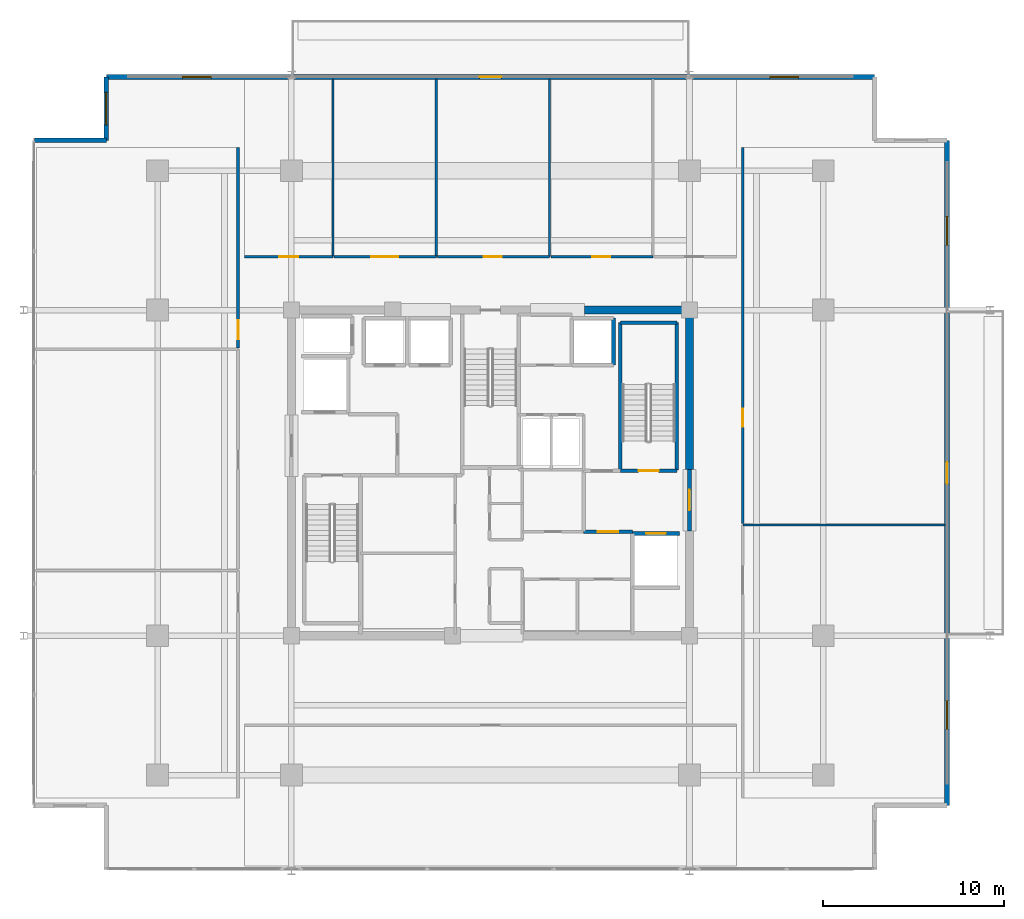
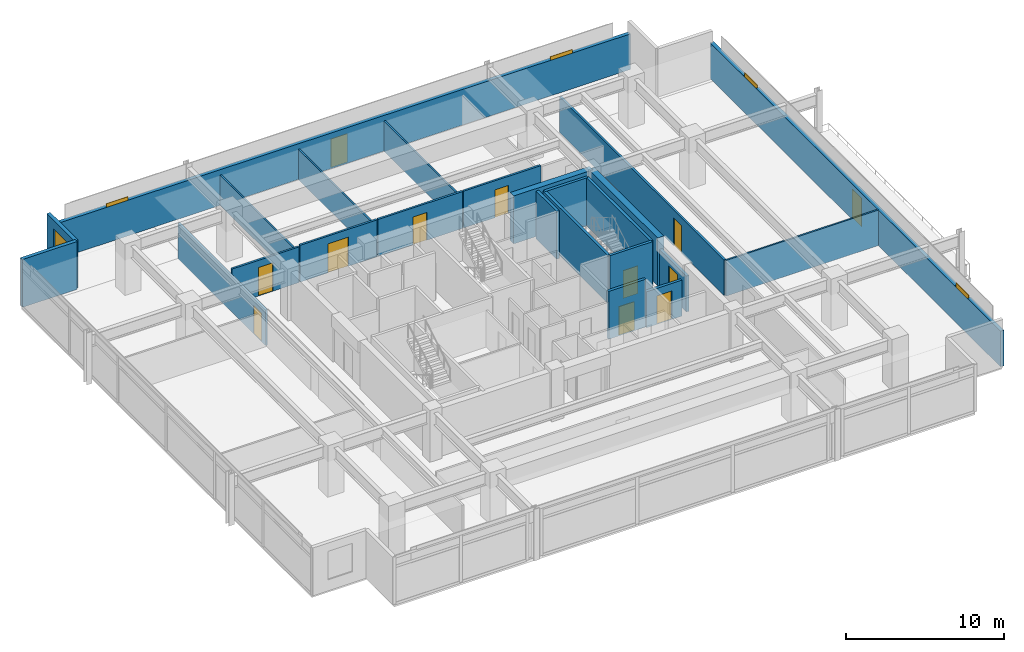
# One storey, part 15 of 20: 24 walls, 12 doors, 5 windows, 17 openings.
"""IFC4 building model written with IfcOpenShell, lengths in metres."""

import ifcopenshell
import ifcopenshell.guid

model = None  # the IFC model being written
_history = None  # IfcOwnerHistory: only IFC2X3 demands one
_inside = {}  # id of a spatial element -> (the spatial element, [elements in it])
_under = {}  # id of a project, library or spatial element -> (it, [spatial elements below it])
_declared = {}  # id of a project -> (the project, [libraries it declares])
_typed = {}  # id of a type object -> (the type object, [elements of that type])
_made_of = {}  # id of a material, layer set ... -> (it, [elements and type objects made of it])


def new_model(schema):
    """Start an empty IFC model of exactly this schema.

    Asked for "IFC4X3", IfcOpenShell would pick the latest addendum, in which some entities
    have other attributes; the version numbers below select the first issue.
    IFC2X3 requires an IfcOwnerHistory on every rooted entity: one is made here for all.
    """
    global model, _history
    if schema == "IFC4X3":
        model = ifcopenshell.file(schema_version=(4, 3, 0, 0))
    else:
        model = ifcopenshell.file(schema=schema)
    _inside.clear()
    _under.clear()
    _declared.clear()
    _typed.clear()
    _made_of.clear()
    _history = None
    if model.schema == "IFC2X3":
        org = make("IfcOrganization", Name="unknown")
        user = make(
            "IfcPersonAndOrganization",
            ThePerson=make("IfcPerson", FamilyName="unknown"),
            TheOrganization=org,
        )
        app = make(
            "IfcApplication",
            ApplicationDeveloper=org,
            Version="unknown",
            ApplicationFullName="unknown",
            ApplicationIdentifier="unknown",
        )
        _history = make(
            "IfcOwnerHistory",
            OwningUser=user,
            OwningApplication=app,
            ChangeAction="ADDED",
            CreationDate=0,
        )
    return model


def make(cls, **values):
    """One entity of the class cls with the attributes given. An attribute that is None is left unset."""
    return model.create_entity(
        cls, **{name: value for name, value in values.items() if value is not None}
    )


def rooted(cls, **values):
    """An entity with a GlobalId (a new one), such as an element, a storey or a relation."""
    return make(cls, GlobalId=ifcopenshell.guid.new(), OwnerHistory=_history, **values)


def si_unit(unit_type, name, prefix=None):
    """IfcSIUnit, for example si_unit("LENGTHUNIT", "METRE", prefix="MILLI")."""
    return make("IfcSIUnit", UnitType=unit_type, Prefix=prefix, Name=name)


def assignment(units):
    """IfcUnitAssignment: the units of a project."""
    return None if units is None else make("IfcUnitAssignment", Units=units)


def point(xyz):
    """IfcCartesianPoint."""
    return None if xyz is None else make("IfcCartesianPoint", Coordinates=xyz)


def direction(xyz):
    """IfcDirection."""
    return None if xyz is None else make("IfcDirection", DirectionRatios=xyz)


def frame(location, z_axis=None, x_axis=None):
    """IfcAxis2Placement3D, a coordinate frame: its origin and axes. An axis left out is left unset."""
    return make(
        "IfcAxis2Placement3D",
        Location=point(location),
        Axis=direction(z_axis),
        RefDirection=direction(x_axis),
    )


def frame_2d(location, x_axis=None):
    """IfcAxis2Placement2D, a coordinate frame in the plane: its origin and x axis."""
    return make(
        "IfcAxis2Placement2D", Location=point(location), RefDirection=direction(x_axis)
    )


def origin():
    """The frame at (0, 0, 0) with its axes left unset."""
    return frame((0.0, 0.0, 0.0))


def place(relative_to, where):
    """IfcLocalPlacement: puts the frame where relative to a parent placement (None: the world)."""
    return make(
        "IfcLocalPlacement", PlacementRelTo=relative_to, RelativePlacement=where
    )


def context(
    kind, dimensions, precision=None, world=None, true_north=None, identifier=None
):
    """IfcGeometricRepresentationContext, for example the 3D "Model" context."""
    return make(
        "IfcGeometricRepresentationContext",
        ContextIdentifier=identifier,
        ContextType=kind,
        CoordinateSpaceDimension=dimensions,
        Precision=precision,
        WorldCoordinateSystem=world,
        TrueNorth=true_north,
    )


def subcontext(parent, identifier, kind, view, scale=None):
    """IfcGeometricRepresentationSubContext, for example "Body" below "Model"."""
    return make(
        "IfcGeometricRepresentationSubContext",
        ContextIdentifier=identifier,
        ContextType=kind,
        ParentContext=parent,
        TargetScale=scale,
        TargetView=view,
    )


def project(units=None, contexts=None):
    """IfcProject with its units and contexts."""
    return rooted(
        "IfcProject",
        Name="project",
        RepresentationContexts=contexts,
        UnitsInContext=assignment(units),
    )


def spatial(cls, under=None, at=None, **own):
    """A site, building, storey or space (cls), placed at a placement, below another one or the project."""
    s = rooted(cls, ObjectPlacement=at, **own)
    if under is not None:
        _under.setdefault(under.id(), (under, []))[1].append(s)
    return s


def profile(cls, at=None, kind="AREA", **sizes):
    """A parametric profile (cls). Its sizes go by their IFC names, for example OverallWidth=200.0."""
    return make(cls, ProfileType=kind, Position=at, **sizes)


def rectangle(**sizes):
    """IfcRectangleProfileDef."""
    return profile("IfcRectangleProfileDef", **sizes)


def extrude(swept, where, along, depth):
    """IfcExtrudedAreaSolid: the profile swept, set in the frame where, extruded along a direction by depth."""
    return make(
        "IfcExtrudedAreaSolid",
        SweptArea=swept,
        Position=where,
        ExtrudedDirection=direction(along),
        Depth=depth,
    )


def shape(context_of_items, identifier, shape_type, items):
    """IfcShapeRepresentation: the items that make up one representation, for example the "Body"."""
    return make(
        "IfcShapeRepresentation",
        ContextOfItems=context_of_items,
        RepresentationIdentifier=identifier,
        RepresentationType=shape_type,
        Items=items,
    )


def material(Name=None, Category=None):
    """IfcMaterial."""
    return make("IfcMaterial", Name=Name, Category=Category)


def layer(
    of_material, thickness, ventilated=None, Name=None, Category=None, Priority=None
):
    """IfcMaterialLayer: one layer of a wall or slab, of a material (None: an air gap)."""
    return make(
        "IfcMaterialLayer",
        Material=of_material,
        LayerThickness=thickness,
        IsVentilated=ventilated,
        Name=Name,
        Category=Category,
        Priority=Priority,
    )


def layer_set(layers, Name=None):
    """IfcMaterialLayerSet."""
    return make("IfcMaterialLayerSet", MaterialLayers=layers, LayerSetName=Name)


def made_of(thing, what):
    """Note that an element or type object is made of a material, layer set ...; save() writes the relation."""
    if what is not None:
        _made_of.setdefault(what.id(), (what, []))[1].append(thing)
    return thing


def type_object(cls, material=None, **own):
    """A type object (cls), such as IfcWallType, which elements share."""
    return made_of(rooted(cls, **own), material)


def element(
    cls,
    number,
    at=None,
    inside=None,
    cuts=None,
    type_object=None,
    material=None,
    context=None,
    identifier="Body",
    shape_type=None,
    held_by="IfcProductDefinitionShape",
    body=None,
    shapes=None,
    **own,
):
    """One element of the class cls, such as IfcWall. Its Tag is "e" and its number.

    at: its placement. inside: the storey or other place that contains it. cuts: it is an
    opening in that element (IfcRelVoidsElement). A single representation is given by context,
    identifier, shape_type and body (its items); several are given by shapes. held_by: the class
    of the entity that holds the representations. save() writes the other relations.
    """
    e = rooted(cls, Tag="e%d" % number, ObjectPlacement=at, **own)
    if body is not None:
        shapes = [shape(context, identifier, shape_type, body)]
    if shapes is not None:
        e.Representation = make(held_by, Representations=shapes)
    if inside is not None:
        _inside.setdefault(inside.id(), (inside, []))[1].append(e)
    if cuts is not None:
        rooted(
            "IfcRelVoidsElement", RelatingBuildingElement=cuts, RelatedOpeningElement=e
        )
    if type_object is not None:
        _typed.setdefault(type_object.id(), (type_object, []))[1].append(e)
    return made_of(e, material)


def fill(opening, filler):
    """IfcRelFillsElement: the door or window that sits in an opening."""
    return rooted(
        "IfcRelFillsElement",
        RelatingOpeningElement=opening,
        RelatedBuildingElement=filler,
    )


def aggregate(whole, parts):
    """IfcRelAggregates: a whole, such as a stair, and the parts it consists of."""
    return rooted("IfcRelAggregates", RelatingObject=whole, RelatedObjects=parts)


def save(model, path):
    """Write the relations noted so far, then the file.

    IfcRelAggregates (storeys below a building ...), IfcRelContainedInSpatialStructure (elements
    in a storey), IfcRelDefinesByType, IfcRelAssociatesMaterial and IfcRelDeclares: one each for
    every whole, place, type object, material and project.
    """
    for whole, parts in _under.values():
        aggregate(whole, parts)
    for where, things in _inside.values():
        rooted(
            "IfcRelContainedInSpatialStructure",
            RelatedElements=things,
            RelatingStructure=where,
        )
    for kind, things in _typed.values():
        rooted("IfcRelDefinesByType", RelatedObjects=things, RelatingType=kind)
    for what, things in _made_of.values():
        rooted("IfcRelAssociatesMaterial", RelatedObjects=things, RelatingMaterial=what)
    for by, libraries in _declared.values():
        rooted("IfcRelDeclares", RelatingContext=by, RelatedDefinitions=libraries)
    model.write(path)


model = new_model("IFC4")

# Units and contexts
model_context = context("Model", 3, precision=1e-05, world=origin(), true_north=direction((0.0, 1.0)))
body_context = subcontext(model_context, "Body", "Model", "MODEL_VIEW")
ifc_project = project(units=[si_unit("LENGTHUNIT", "METRE"), si_unit("AREAUNIT", "SQUARE_METRE"), si_unit("VOLUMEUNIT", "CUBIC_METRE"), si_unit("PLANEANGLEUNIT", "RADIAN"), si_unit("MASSUNIT", "GRAM", prefix="KILO")], contexts=[model_context])

# Site, building, storey
site_placement = place(None, origin())
site = spatial("IfcSite", under=ifc_project, at=site_placement, CompositionType="ELEMENT")
building_placement = place(site_placement, origin())
building = spatial("IfcBuilding", under=site, at=building_placement, Name="Kovane Verandah Tower", CompositionType="ELEMENT")
storey_placement = place(building_placement, frame((0.0, 0.0, 291.199951171875)))
storey = spatial("IfcBuildingStorey", under=building, at=storey_placement, Name="L68", CompositionType="ELEMENT", Elevation=291.199951171875)

# Wall, opening, door
ifc_material_1 = material(Name="Fire-Rated Gypsum Stud Partition", Category="gypsum")
ifc_layer_1 = layer(ifc_material_1, 0.14990234375)
ifc_layer_set_1 = layer_set([ifc_layer_1], Name="Fire-Rated Gypsum Stud Partition")
wall_type_1 = type_object("IfcWallType", Name="WL-COR-150", PredefinedType="PARTITIONING", material=ifc_layer_set_1)
wall_1_placement = place(storey_placement, frame((26.39990234375, 39.449951171875, 0.0), z_axis=(0.0, 0.0, 1.0), x_axis=(1.0, 0.0, 0.0)))
wall_1 = element("IfcWall", 1, at=wall_1_placement, inside=storey, type_object=wall_type_1, Name="L68 Executive Office N1 Corridor Partition", PredefinedType="PARTITIONING", context=body_context, shape_type="SweptSolid", body=[
    extrude(rectangle(XDim=4.89599609375, YDim=0.14990234375, at=frame_2d((2.447998046875, 0.0))), origin(), (0.0, 0.0, 1.0), 2.75341796875),
])
opening_1_placement = place(wall_1_placement, frame((1.93798828125, 0.0, 0.0)))
opening_1 = element("IfcOpeningElement", 2, at=opening_1_placement, cuts=wall_1, Name="Opening DR-L68-021", PredefinedType="OPENING", context=body_context, shape_type="SweptSolid", body=[
    extrude(rectangle(XDim=1.050048828125, YDim=2.199951171875, at=frame_2d((0.52490234375, 1.10009765625))), frame((0.0, 0.074951171875, 0.0), z_axis=(0.0, -1.0, 0.0), x_axis=(1.0, 0.0, 0.0)), (0.0, 0.0, 1.0), 0.14990234375),
])
ifc_material_2 = material(Name="FSC Blackbutt Timber Fire-Rated Executive Door", Category="wood")
door_type_1 = type_object("IfcDoorType", Name="DR-EXEC-1050", OperationType="SINGLE_SWING_LEFT", PredefinedType="DOOR", material=ifc_material_2)
door_1_placement = place(opening_1_placement, origin())
door_1 = element("IfcDoor", 3, at=door_1_placement, inside=storey, type_object=door_type_1, Name="L68 Executive Office N1 Entrance Door", OperationType="SINGLE_SWING_LEFT", OverallHeight=2.199951171875, OverallWidth=1.050048828125, PredefinedType="DOOR", context=body_context, shape_type="SweptSolid", body=[
    extrude(rectangle(XDim=1.050048828125, YDim=2.199951171875, at=frame_2d((0.52490234375, 1.10009765625))), frame((0.0, 0.02490234375, 0.0), z_axis=(0.0, -1.0, 0.0), x_axis=(1.0, 0.0, 0.0)), (0.0, 0.0, 1.0), 0.050048828125),
])
fill(opening_1, door_1)

wall_2_placement = place(storey_placement, frame((31.365966796875, 39.449951171875, 0.0), z_axis=(0.0, 0.0, 1.0), x_axis=(1.0, 0.0, 0.0)))
wall_2 = element("IfcWall", 4, at=wall_2_placement, inside=storey, type_object=wall_type_1, Name="L68 Client Boardroom N2 Corridor Partition", PredefinedType="PARTITIONING", context=body_context, shape_type="SweptSolid", body=[
    extrude(rectangle(XDim=5.64208984375, YDim=0.14990234375, at=frame_2d((2.821044921875, 0.0))), origin(), (0.0, 0.0, 1.0), 2.85009765625),
])
opening_2_placement = place(wall_2_placement, frame((2.035888671875, 0.0, 0.0)))
opening_2 = element("IfcOpeningElement", 5, at=opening_2_placement, cuts=wall_2, Name="Opening DR-L68-022", PredefinedType="OPENING", context=body_context, shape_type="SweptSolid", body=[
    extrude(rectangle(XDim=1.5, YDim=2.25, at=frame_2d((0.75, 1.125))), frame((0.0, 0.074951171875, 0.0), z_axis=(0.0, -1.0, 0.0), x_axis=(1.0, 0.0, 0.0)), (0.0, 0.0, 1.0), 0.14990234375),
])
ifc_material_3 = material(Name="Glazed Timber Fire-Rated Double Door", Category="wood")
door_type_2 = type_object("IfcDoorType", Name="DR-CONF-1500", OperationType="DOUBLE_DOOR_SINGLE_SWING", PredefinedType="DOOR", material=ifc_material_3)
door_2_placement = place(opening_2_placement, origin())
door_2 = element("IfcDoor", 6, at=door_2_placement, inside=storey, type_object=door_type_2, Name="L68 Client Boardroom N2 Entrance Door", OperationType="DOUBLE_DOOR_SINGLE_SWING", OverallHeight=2.25, OverallWidth=1.5, PredefinedType="DOOR", context=body_context, shape_type="SweptSolid", body=[
    extrude(rectangle(XDim=1.5, YDim=2.25, at=frame_2d((0.75, 1.125))), frame((0.0, 0.02490234375, 0.0), z_axis=(0.0, -1.0, 0.0), x_axis=(1.0, 0.0, 0.0)), (0.0, 0.0, 1.0), 0.050048828125),
])
fill(opening_2, door_2)

wall_3_placement = place(storey_placement, frame((37.077880859375, 39.449951171875, 0.0), z_axis=(0.0, 0.0, 1.0), x_axis=(1.0, 0.0, 0.0)))
wall_3 = element("IfcWall", 7, at=wall_3_placement, inside=storey, type_object=wall_type_1, Name="L68 Meeting Room N3 Corridor Partition", PredefinedType="PARTITIONING", context=body_context, shape_type="SweptSolid", body=[
    extrude(rectangle(XDim=6.18603515625, YDim=0.14990234375, at=frame_2d((3.093017578125, 0.0))), origin(), (0.0, 0.0, 1.0), 2.85009765625),
])
opening_3_placement = place(wall_3_placement, frame((2.55810546875, 0.0, 0.0)))
opening_3 = element("IfcOpeningElement", 8, at=opening_3_placement, cuts=wall_3, Name="Opening DR-L68-023", PredefinedType="OPENING", context=body_context, shape_type="SweptSolid", body=[
    extrude(rectangle(XDim=1.0, YDim=2.14990234375, at=frame_2d((0.5, 1.074951171875))), frame((0.0, 0.074951171875, 0.0), z_axis=(0.0, -1.0, 0.0), x_axis=(1.0, 0.0, 0.0)), (0.0, 0.0, 1.0), 0.14990234375),
])
ifc_material_4 = material(Name="FSC Spotted-Gum Timber Fire-Rated Office Door", Category="wood")
door_type_3 = type_object("IfcDoorType", Name="DR-OFF-1000", OperationType="SINGLE_SWING_LEFT", PredefinedType="DOOR", material=ifc_material_4)
door_3_placement = place(opening_3_placement, origin())
door_3 = element("IfcDoor", 9, at=door_3_placement, inside=storey, type_object=door_type_3, Name="L68 Meeting Room N3 Entrance Door", OperationType="SINGLE_SWING_LEFT", OverallHeight=2.14990234375, OverallWidth=1.0, PredefinedType="DOOR", context=body_context, shape_type="SweptSolid", body=[
    extrude(rectangle(XDim=1.0, YDim=2.14990234375, at=frame_2d((0.5, 1.074951171875))), frame((0.0, 0.02490234375, 0.0), z_axis=(0.0, -1.0, 0.0), x_axis=(1.0, 0.0, 0.0)), (0.0, 0.0, 1.0), 0.050048828125),
])
fill(opening_3, door_3)

wall_4_placement = place(storey_placement, frame((43.333984375, 39.449951171875, 0.0), z_axis=(0.0, 0.0, 1.0), x_axis=(1.0, 0.0, 0.0)))
wall_4 = element("IfcWall", 10, at=wall_4_placement, inside=storey, type_object=wall_type_1, Name="L68 Focus Studio N4 Corridor Partition", PredefinedType="PARTITIONING", context=body_context, shape_type="SweptSolid", body=[
    extrude(rectangle(XDim=5.64208984375, YDim=0.14990234375, at=frame_2d((2.821044921875, 0.0))), origin(), (0.0, 0.0, 1.0), 2.85009765625),
])
opening_4_placement = place(wall_4_placement, frame((2.285888671875, 0.0, 0.0)))
opening_4 = element("IfcOpeningElement", 11, at=opening_4_placement, cuts=wall_4, Name="Opening DR-L68-024", PredefinedType="OPENING", context=body_context, shape_type="SweptSolid", body=[
    extrude(rectangle(XDim=1.0, YDim=2.14990234375, at=frame_2d((0.5, 1.074951171875))), frame((0.0, 0.074951171875, 0.0), z_axis=(0.0, -1.0, 0.0), x_axis=(1.0, 0.0, 0.0)), (0.0, 0.0, 1.0), 0.14990234375),
])
door_4_placement = place(opening_4_placement, origin())
door_4 = element("IfcDoor", 12, at=door_4_placement, inside=storey, type_object=door_type_3, Name="L68 Focus Studio N4 Entrance Door", OperationType="SINGLE_SWING_RIGHT", OverallHeight=2.14990234375, OverallWidth=1.0, PredefinedType="DOOR", context=body_context, shape_type="SweptSolid", body=[
    extrude(rectangle(XDim=1.0, YDim=2.14990234375, at=frame_2d((0.5, 1.074951171875))), frame((0.0, 0.02490234375, 0.0), z_axis=(0.0, -1.0, 0.0), x_axis=(1.0, 0.0, 0.0)), (0.0, 0.0, 1.0), 0.050048828125),
])
fill(opening_4, door_4)

wall_5_placement = place(storey_placement, frame((26.050048828125, 34.402587890625, 0.0), z_axis=(0.0, 0.0, 1.0), x_axis=(0.0, 1.0, 0.0)))
wall_5 = element("IfcWall", 13, at=wall_5_placement, inside=storey, type_object=wall_type_1, Name="L68 Executive Office W3 Corridor Partition", PredefinedType="PARTITIONING", context=body_context, shape_type="SweptSolid", body=[
    extrude(rectangle(XDim=11.078125, YDim=0.14990234375, at=frame_2d((5.5390625, 0.0))), origin(), (0.0, 0.0, 1.0), 2.75341796875),
])
opening_5_placement = place(wall_5_placement, frame((0.4736328125, 0.0, 0.0)))
opening_5 = element("IfcOpeningElement", 14, at=opening_5_placement, cuts=wall_5, Name="Opening DR-L68-032", PredefinedType="OPENING", context=body_context, shape_type="SweptSolid", body=[
    extrude(rectangle(XDim=1.050048828125, YDim=2.199951171875, at=frame_2d((0.52490234375, 1.10009765625))), frame((0.0, 0.074951171875, 0.0), z_axis=(0.0, -1.0, 0.0), x_axis=(1.0, 0.0, 0.0)), (0.0, 0.0, 1.0), 0.14990234375),
])
door_5_placement = place(opening_5_placement, origin())
door_5 = element("IfcDoor", 15, at=door_5_placement, inside=storey, type_object=door_type_1, Name="L68 Executive Office W3 Entrance Door", OperationType="SINGLE_SWING_LEFT", OverallHeight=2.199951171875, OverallWidth=1.050048828125, PredefinedType="DOOR", context=body_context, shape_type="SweptSolid", body=[
    extrude(rectangle(XDim=1.050048828125, YDim=2.199951171875, at=frame_2d((0.52490234375, 1.10009765625))), frame((0.0, 0.02490234375, 0.0), z_axis=(0.0, -1.0, 0.0), x_axis=(1.0, 0.0, 0.0)), (0.0, 0.0, 1.0), 0.050048828125),
])
fill(opening_5, door_5)

wall_6_placement = place(storey_placement, frame((53.949951171875, 24.693115234375, 0.0), z_axis=(0.0, 0.0, 1.0), x_axis=(0.0, 1.0, 0.0)))
wall_6 = element("IfcWall", 16, at=wall_6_placement, inside=storey, type_object=wall_type_1, Name="L68 Meeting Room E2 Corridor Partition", PredefinedType="PARTITIONING", context=body_context, shape_type="SweptSolid", body=[
    extrude(rectangle(XDim=20.78759765625, YDim=0.14990234375, at=frame_2d((10.393798828125, 0.0))), origin(), (0.0, 0.0, 1.0), 2.75341796875),
])
opening_6_placement = place(wall_6_placement, frame((5.353515625, 0.0, 0.0)))
opening_6 = element("IfcOpeningElement", 17, at=opening_6_placement, cuts=wall_6, Name="Opening DR-L68-012", PredefinedType="OPENING", context=body_context, shape_type="SweptSolid", body=[
    extrude(rectangle(XDim=1.0, YDim=2.14990234375, at=frame_2d((0.5, 1.074951171875))), frame((0.0, 0.074951171875, 0.0), z_axis=(0.0, -1.0, 0.0), x_axis=(1.0, 0.0, 0.0)), (0.0, 0.0, 1.0), 0.14990234375),
])
door_6_placement = place(opening_6_placement, origin())
door_6 = element("IfcDoor", 18, at=door_6_placement, inside=storey, type_object=door_type_3, Name="L68 Meeting Room E2 Entrance Door", OperationType="SINGLE_SWING_LEFT", OverallHeight=2.14990234375, OverallWidth=1.0, PredefinedType="DOOR", context=body_context, shape_type="SweptSolid", body=[
    extrude(rectangle(XDim=1.0, YDim=2.14990234375, at=frame_2d((0.5, 1.074951171875))), frame((0.0, 0.02490234375, 0.0), z_axis=(0.0, -1.0, 0.0), x_axis=(1.0, 0.0, 0.0)), (0.0, 0.0, 1.0), 0.050048828125),
])
fill(opening_6, door_6)

# Walls
ifc_material_5 = material(Name="Concrete C60/75", Category="concrete")
ifc_layer_2 = layer(ifc_material_5, 0.449951171875)
ifc_layer_set_2 = layer_set([ifc_layer_2], Name="Concrete C60/75")
wall_type_2 = type_object("IfcWallType", Name="WL-CORE-450", PredefinedType="SHEAR", material=ifc_layer_set_2)
wall_7_placement = place(storey_placement, frame((45.199951171875, 36.5, 0.0), z_axis=(0.0, 0.0, 1.0), x_axis=(1.0, 0.0, 0.0)))
element("IfcWall", 19, at=wall_7_placement, inside=storey, type_object=wall_type_2, Name="L68 Core Shear Wall CN-3", PredefinedType="SHEAR", context=body_context, shape_type="SweptSolid", body=[
    extrude(rectangle(XDim=5.800048828125, YDim=0.449951171875, at=frame_2d((2.89990234375, 0.0))), origin(), (0.0, 0.0, 1.0), 3.699951171875),
])
wall_8_placement = place(storey_placement, frame((51.0, 27.699951171875, 0.0), z_axis=(0.0, 0.0, 1.0), x_axis=(0.0, 1.0, 0.0)))
element("IfcWall", 20, at=wall_8_placement, inside=storey, type_object=wall_type_2, Name="L68 Core Shear Wall CE-2", PredefinedType="SHEAR", context=body_context, shape_type="SweptSolid", body=[
    extrude(rectangle(XDim=8.800048828125, YDim=0.449951171875, at=frame_2d((4.39990234375, 0.0))), origin(), (0.0, 0.0, 1.0), 3.699951171875),
])

# Wall, opening, door
ifc_material_6 = material(Name="Concrete C45/55 Fire Wall", Category="concrete")
ifc_layer_3 = layer(ifc_material_6, 0.199951171875)
ifc_layer_set_3 = layer_set([ifc_layer_3], Name="Concrete C45/55 Fire Wall")
wall_type_3 = type_object("IfcWallType", Name="WL-FFL-200", PredefinedType="PARTITIONING", material=ifc_layer_set_3)
wall_9_placement = place(storey_placement, frame((45.14990234375, 24.25, 0.0), z_axis=(0.0, 0.0, 1.0), x_axis=(1.0, 0.0, 0.0)))
wall_9 = element("IfcWall", 21, at=wall_9_placement, inside=storey, type_object=wall_type_3, Name="W-L68-FFLE-S", PredefinedType="PARTITIONING", context=body_context, shape_type="SweptSolid", body=[
    extrude(rectangle(XDim=2.7001953125, YDim=0.199951171875, at=frame_2d((1.35009765625, 0.0))), origin(), (0.0, 0.0, 1.0), 3.699951171875),
])
opening_7_placement = place(wall_9_placement, frame((0.77490234375, 0.0, 0.0)))
opening_7 = element("IfcOpeningElement", 22, at=opening_7_placement, cuts=wall_9, Name="Opening DR-L68-003", PredefinedType="OPENING", context=body_context, shape_type="SweptSolid", body=[
    extrude(rectangle(XDim=1.14990234375, YDim=2.199951171875, at=frame_2d((0.574951171875, 1.10009765625))), frame((0.0, 0.10009765625, 0.0), z_axis=(0.0, -1.0, 0.0), x_axis=(1.0, 0.0, 0.0)), (0.0, 0.0, 1.0), 0.199951171875),
])
ifc_material_7 = material(Name="Smoke-Sealed Firefighting Lobby Door", Category="steel")
door_type_4 = type_object("IfcDoorType", Name="DR-FFL-1150", OperationType="SINGLE_SWING_LEFT", PredefinedType="DOOR", material=ifc_material_7)
door_7_placement = place(opening_7_placement, origin())
door_7 = element("IfcDoor", 23, at=door_7_placement, inside=storey, type_object=door_type_4, Name="L68 East Firefighting Lobby Inner Door", OperationType="SINGLE_SWING_RIGHT", OverallHeight=2.199951171875, OverallWidth=1.14990234375, PredefinedType="DOOR", context=body_context, shape_type="SweptSolid", body=[
    extrude(rectangle(XDim=1.14990234375, YDim=2.199951171875, at=frame_2d((0.574951171875, 1.10009765625))), frame((0.0, 0.02490234375, 0.0), z_axis=(0.0, -1.0, 0.0), x_axis=(1.0, 0.0, 0.0)), (0.0, 0.0, 1.0), 0.050048828125),
])
fill(opening_7, door_7)

wall_10_placement = place(storey_placement, frame((51.0, 24.300048828125, 0.0), z_axis=(0.0, 0.0, 1.0), x_axis=(0.0, 1.0, 0.0)))
wall_10 = element("IfcWall", 24, at=wall_10_placement, inside=storey, type_object=wall_type_3, Name="W-L68-FFLE-OUT", PredefinedType="PARTITIONING", context=body_context, shape_type="SweptSolid", body=[
    extrude(rectangle(XDim=3.39990234375, YDim=0.199951171875, at=frame_2d((1.699951171875, 0.0))), origin(), (0.0, 0.0, 1.0), 2.780029296875),
])
opening_8_placement = place(wall_10_placement, frame((1.125, 0.0, 0.0)))
opening_8 = element("IfcOpeningElement", 25, at=opening_8_placement, cuts=wall_10, Name="Opening DR-L68-005", PredefinedType="OPENING", context=body_context, shape_type="SweptSolid", body=[
    extrude(rectangle(XDim=1.14990234375, YDim=2.199951171875, at=frame_2d((0.574951171875, 1.10009765625))), frame((0.0, 0.10009765625, 0.0), z_axis=(0.0, -1.0, 0.0), x_axis=(1.0, 0.0, 0.0)), (0.0, 0.0, 1.0), 0.199951171875),
])
door_8_placement = place(opening_8_placement, origin())
door_8 = element("IfcDoor", 26, at=door_8_placement, inside=storey, type_object=door_type_4, Name="L68 East Firefighting Lobby Corridor Door", OperationType="SINGLE_SWING_LEFT", OverallHeight=2.199951171875, OverallWidth=1.14990234375, PredefinedType="DOOR", context=body_context, shape_type="SweptSolid", body=[
    extrude(rectangle(XDim=1.14990234375, YDim=2.199951171875, at=frame_2d((0.574951171875, 1.10009765625))), frame((0.0, 0.02490234375, 0.0), z_axis=(0.0, -1.0, 0.0), x_axis=(1.0, 0.0, 0.0)), (0.0, 0.0, 1.0), 0.050048828125),
])
fill(opening_8, door_8)

ifc_material_8 = material(Name="Concrete C45/55 Lift Shaft Wall", Category="concrete")
ifc_layer_4 = layer(ifc_material_8, 0.199951171875)
ifc_layer_set_4 = layer_set([ifc_layer_4], Name="Concrete C45/55 Lift Shaft Wall")
wall_type_4 = type_object("IfcWallType", Name="WL-LIFT-200", PredefinedType="SOLIDWALL", material=ifc_layer_set_4)
wall_11_placement = place(storey_placement, frame((50.449951171875, 24.14990234375, 0.0), z_axis=(0.0, 0.0, 1.0), x_axis=(-1.0, 0.0, 0.0)))
wall_11 = element("IfcWall", 27, at=wall_11_placement, inside=storey, type_object=wall_type_4, Name="L68 Lift FL-02 N Shaft Wall", PredefinedType="SOLIDWALL", context=body_context, shape_type="SweptSolid", body=[
    extrude(rectangle(XDim=2.599853515625, YDim=0.199951171875, at=frame_2d((1.2998046875, 0.0))), origin(), (0.0, 0.0, 1.0), 2.780029296875),
])
opening_9_placement = place(wall_11_placement, frame((0.75, 0.0, 0.0)))
opening_9 = element("IfcOpeningElement", 28, at=opening_9_placement, cuts=wall_11, Name="Opening LD-L68-002", PredefinedType="OPENING", context=body_context, shape_type="SweptSolid", body=[
    extrude(rectangle(XDim=1.10009765625, YDim=2.199951171875, at=frame_2d((0.550048828125, 1.10009765625))), frame((0.0, 0.10009765625, 0.0), z_axis=(0.0, -1.0, 0.0), x_axis=(1.0, 0.0, 0.0)), (0.0, 0.0, 1.0), 0.199951171875),
])
ifc_material_9 = material(Name="Brushed Stainless Steel Sliding Lift Landing Door", Category="steel")
door_type_5 = type_object("IfcDoorType", Name="DR-LIFT-1100", OperationType="SLIDING_TO_RIGHT", PredefinedType="DOOR", material=ifc_material_9)
door_9_placement = place(opening_9_placement, origin())
door_9 = element("IfcDoor", 29, at=door_9_placement, inside=storey, type_object=door_type_5, Name="L68 Lift FL-02 Sliding Landing Door", OperationType="SLIDING_TO_RIGHT", OverallHeight=2.199951171875, OverallWidth=1.10009765625, PredefinedType="DOOR", context=body_context, shape_type="SweptSolid", body=[
    extrude(rectangle(XDim=1.10009765625, YDim=2.199951171875, at=frame_2d((0.550048828125, 1.10009765625))), frame((0.0, 0.02490234375, 0.0), z_axis=(0.0, -1.0, 0.0), x_axis=(1.0, 0.0, 0.0)), (0.0, 0.0, 1.0), 0.050048828125),
])
fill(opening_9, door_9)

# Walls
wall_12_placement = place(storey_placement, frame((46.800048828125, 33.449951171875, 0.0), z_axis=(0.0, 0.0, 1.0), x_axis=(0.0, 1.0, 0.0)))
element("IfcWall", 30, at=wall_12_placement, inside=storey, type_object=wall_type_4, Name="L68 Lift OL-01 E Shaft Wall", PredefinedType="SOLIDWALL", context=body_context, shape_type="SweptSolid", body=[
    extrude(rectangle(XDim=2.60009765625, YDim=0.199951171875, at=frame_2d((1.300048828125, 0.0))), origin(), (0.0, 0.0, 1.0), 3.699951171875),
])
ifc_material_10 = material(Name="Acoustic Fire-Rated Gypsum Partition", Category="gypsum")
ifc_layer_5 = layer(ifc_material_10, 0.1201171875)
ifc_layer_set_5 = layer_set([ifc_layer_5], Name="Acoustic Fire-Rated Gypsum Partition")
wall_type_5 = type_object("IfcWallType", Name="WL-PART-120", PredefinedType="PARTITIONING", material=ifc_layer_set_5)
for number, where, z_axis, x_axis, name in (
    (31, (31.2958984375, 39.449951171875, 0.0), (0.0, 0.0, 1.0), (0.0, 1.0, 0.0), "L68 Executive Office N1 Dividing Partition"),
    (32, (37.008056640625, 39.449951171875, 0.0), (0.0, 0.0, 1.0), (0.0, 1.0, 0.0), "L68 Client Boardroom N2 Dividing Partition"),
    (33, (43.263916015625, 39.449951171875, 0.0), (0.0, 0.0, 1.0), (0.0, 1.0, 0.0), "L68 Meeting Room N3 Dividing Partition"),
):
    element("IfcWall", number, at=place(storey_placement, frame(where, z_axis=z_axis, x_axis=x_axis)), inside=storey, type_object=wall_type_5, Name=name, PredefinedType="PARTITIONING", context=body_context, shape_type="SweptSolid", body=[
        extrude(rectangle(XDim=9.83056640625, YDim=0.1201171875, at=frame_2d((4.915283203125, 0.0))), origin(), (0.0, 0.0, 1.0), 2.330078125),
    ])
wall_13_placement = place(storey_placement, frame((53.949951171875, 24.623046875, 0.0), z_axis=(0.0, 0.0, 1.0), x_axis=(1.0, 0.0, 0.0)))
element("IfcWall", 34, at=wall_13_placement, inside=storey, type_object=wall_type_5, Name="L68 Client Boardroom E1 Dividing Partition", PredefinedType="PARTITIONING", context=body_context, shape_type="SweptSolid", body=[
    extrude(rectangle(XDim=11.181640625, YDim=0.1201171875, at=frame_2d((5.5908203125, 0.0))), origin(), (0.0, 0.0, 1.0), 2.75341796875),
])
ifc_material_11 = material(Name="Concrete C45/55", Category="concrete")
ifc_layer_6 = layer(ifc_material_11, 0.199951171875)
ifc_layer_set_6 = layer_set([ifc_layer_6], Name="Concrete C45/55")
wall_type_6 = type_object("IfcWallType", Name="WL-SHAFT-200", PredefinedType="SOLIDWALL", material=ifc_layer_set_6)
wall_14_placement = place(storey_placement, frame((50.300048828125, 27.64990234375, 0.0), z_axis=(0.0, 0.0, 1.0), x_axis=(0.0, 1.0, 0.0)))
element("IfcWall", 35, at=wall_14_placement, inside=storey, type_object=wall_type_6, Name="W-L68-ST02-E", PredefinedType="SOLIDWALL", context=body_context, shape_type="SweptSolid", body=[
    extrude(rectangle(XDim=8.150146484375, YDim=0.199951171875, at=frame_2d((4.0751953125, 0.0))), origin(), (0.0, 0.0, 1.0), 3.699951171875),
])
wall_15_placement = place(storey_placement, frame((47.179931640625, 35.800048828125, 0.0), z_axis=(0.0, 0.0, 1.0), x_axis=(1.0, 0.0, 0.0)))
element("IfcWall", 36, at=wall_15_placement, inside=storey, type_object=wall_type_6, Name="W-L68-ST02-N", PredefinedType="SOLIDWALL", context=body_context, shape_type="SweptSolid", body=[
    extrude(rectangle(XDim=3.1201171875, YDim=0.199951171875, at=frame_2d((1.56005859375, 0.0))), origin(), (0.0, 0.0, 1.0), 3.699951171875),
])
wall_16_placement = place(storey_placement, frame((47.179931640625, 27.6201171875, 0.0), z_axis=(0.0, 0.0, 1.0), x_axis=(0.0, 1.0, 0.0)))
element("IfcWall", 37, at=wall_16_placement, inside=storey, type_object=wall_type_6, Name="W-L68-ST02-W", PredefinedType="SOLIDWALL", context=body_context, shape_type="SweptSolid", body=[
    extrude(rectangle(XDim=8.179931640625, YDim=0.199951171875, at=frame_2d((4.08984375, 0.0))), origin(), (0.0, 0.0, 1.0), 3.699951171875),
])

# Wall, opening, door
wall_17_placement = place(storey_placement, frame((47.179931640625, 27.6201171875, 0.0), z_axis=(0.0, 0.0, 1.0), x_axis=(1.0, 0.0, 0.0)))
wall_17 = element("IfcWall", 38, at=wall_17_placement, inside=storey, type_object=wall_type_6, Name="W-L68-ST02-S", PredefinedType="SOLIDWALL", context=body_context, shape_type="SweptSolid", body=[
    extrude(rectangle(XDim=3.1201171875, YDim=0.199951171875, at=frame_2d((1.56005859375, 0.0))), origin(), (0.0, 0.0, 1.0), 3.699951171875),
])
opening_10_placement = place(wall_17_placement, frame((1.010009765625, 0.0, 0.0)))
opening_10 = element("IfcOpeningElement", 39, at=opening_10_placement, cuts=wall_17, Name="Opening DR-L68-009", PredefinedType="OPENING", context=body_context, shape_type="SweptSolid", body=[
    extrude(rectangle(XDim=1.10009765625, YDim=2.14990234375, at=frame_2d((0.550048828125, 1.074951171875))), frame((0.0, 0.10009765625, 0.0), z_axis=(0.0, -1.0, 0.0), x_axis=(1.0, 0.0, 0.0)), (0.0, 0.0, 1.0), 0.199951171875),
])
ifc_material_12 = material(Name="Fire-Rated Steel Exit Door", Category="steel")
door_type_6 = type_object("IfcDoorType", Name="DR-STAIR-1100", OperationType="SINGLE_SWING_LEFT", PredefinedType="DOOR", material=ifc_material_12)
door_10_placement = place(opening_10_placement, origin())
door_10 = element("IfcDoor", 40, at=door_10_placement, inside=storey, type_object=door_type_6, Name="L68 ST-02 Fire Exit Stair Door", OperationType="SINGLE_SWING_RIGHT", OverallHeight=2.14990234375, OverallWidth=1.10009765625, PredefinedType="DOOR", context=body_context, shape_type="SweptSolid", body=[
    extrude(rectangle(XDim=1.10009765625, YDim=2.14990234375, at=frame_2d((0.550048828125, 1.074951171875))), frame((0.0, 0.02490234375, 0.0), z_axis=(0.0, -1.0, 0.0), x_axis=(1.0, 0.0, 0.0)), (0.0, 0.0, 1.0), 0.050048828125),
])
fill(opening_10, door_10)

# Wall, openings, door, windows
ifc_material_13 = material(Name="Concrete C45/55 Insulated Spandrel Wall", Category="concrete")
ifc_layer_7 = layer(ifc_material_13, 0.260009765625)
ifc_layer_set_7 = layer_set([ifc_layer_7], Name="Concrete C45/55 Insulated Spandrel Wall")
wall_type_7 = type_object("IfcWallType", Name="WL-SPANDREL-260", PredefinedType="PARAPET", material=ifc_layer_set_7)
wall_18_placement = place(storey_placement, frame((65.231689453125, 9.119384765625, 0.0), z_axis=(0.0, 0.0, 1.0), x_axis=(0.0, 1.0, 0.0)))
wall_18 = element("IfcWall", 41, at=wall_18_placement, inside=storey, type_object=wall_type_7, Name="L68 E Verandah Access Facade Wall", PredefinedType="PARAPET", context=body_context, shape_type="SweptSolid", body=[
    extrude(rectangle(XDim=36.76123046875, YDim=0.260009765625, at=frame_2d((18.380615234375, 0.0))), origin(), (0.0, 0.0, 1.0), 2.75341796875),
])
opening_11_placement = place(wall_18_placement, frame((4.199951171875, 0.0, 0.85009765625)))
opening_11 = element("IfcOpeningElement", 42, at=opening_11_placement, cuts=wall_18, Name="Opening W-02", PredefinedType="OPENING", context=body_context, shape_type="SweptSolid", body=[
    extrude(rectangle(XDim=1.60009765625, YDim=2.10009765625, at=frame_2d((0.800048828125, 1.050048828125))), frame((0.0, 0.1298828125, 0.0), z_axis=(0.0, -1.0, 0.0), x_axis=(1.0, 0.0, 0.0)), (0.0, 0.0, 1.0), 0.260009765625),
])
opening_12_placement = place(wall_18_placement, frame((17.780517578125, 0.0, 0.0)))
opening_12 = element("IfcOpeningElement", 43, at=opening_12_placement, cuts=wall_18, Name="Opening DR-L68-001", PredefinedType="OPENING", context=body_context, shape_type="SweptSolid", body=[
    extrude(rectangle(XDim=1.199951171875, YDim=2.199951171875, at=frame_2d((0.60009765625, 1.10009765625))), frame((0.0, 0.1298828125, 0.0), z_axis=(0.0, -1.0, 0.0), x_axis=(1.0, 0.0, 0.0)), (0.0, 0.0, 1.0), 0.260009765625),
])
opening_13_placement = place(wall_18_placement, frame((30.961181640625, 0.0, 0.85009765625)))
opening_13 = element("IfcOpeningElement", 44, at=opening_13_placement, cuts=wall_18, Name="Opening W-02", PredefinedType="OPENING", context=body_context, shape_type="SweptSolid", body=[
    extrude(rectangle(XDim=1.60009765625, YDim=2.10009765625, at=frame_2d((0.800048828125, 1.050048828125))), frame((0.0, 0.1298828125, 0.0), z_axis=(0.0, -1.0, 0.0), x_axis=(1.0, 0.0, 0.0)), (0.0, 0.0, 1.0), 0.260009765625),
])
ifc_material_14 = material(Name="Cyclone-Rated Glazed Balcony Leaf Door", Category="aluminium")
door_type_7 = type_object("IfcDoorType", Name="DR-BAL-1200x2200", OperationType="SINGLE_SWING_LEFT", PredefinedType="DOOR", material=ifc_material_14)
door_11_placement = place(opening_12_placement, origin())
door_11 = element("IfcDoor", 45, at=door_11_placement, inside=storey, type_object=door_type_7, Name="L68 E Planted Balcony Access Door", OperationType="SINGLE_SWING_LEFT", OverallHeight=2.199951171875, OverallWidth=1.199951171875, PredefinedType="DOOR", context=body_context, shape_type="SweptSolid", body=[
    extrude(rectangle(XDim=1.199951171875, YDim=2.199951171875, at=frame_2d((0.60009765625, 1.10009765625))), frame((0.0, 0.02490234375, 0.0), z_axis=(0.0, -1.0, 0.0), x_axis=(1.0, 0.0, 0.0)), (0.0, 0.0, 1.0), 0.050048828125),
])
fill(opening_12, door_11)
ifc_material_15 = material(Name="Clear Low-E Laminated Double Glazing in Anodised Frame", Category="glass")
window_type_1 = type_object("IfcWindowType", Name="WN-OPER-1600x2100", PartitioningType="SINGLE_PANEL", PredefinedType="WINDOW", material=ifc_material_15)
window_1_placement = place(opening_11_placement, origin())
window_1 = element("IfcWindow", 46, at=window_1_placement, inside=storey, type_object=window_type_1, Name="L68 E Verandah View Window 1", OverallHeight=2.10009765625, OverallWidth=1.60009765625, PartitioningType="SINGLE_PANEL", PredefinedType="WINDOW", context=body_context, shape_type="SweptSolid", body=[
    extrude(rectangle(XDim=1.60009765625, YDim=2.10009765625, at=frame_2d((0.800048828125, 1.050048828125))), frame((0.0, 0.030029296875, 0.0), z_axis=(0.0, -1.0, 0.0), x_axis=(1.0, 0.0, 0.0)), (0.0, 0.0, 1.0), 0.06005859375),
])
fill(opening_11, window_1)
window_2_placement = place(opening_13_placement, origin())
window_2 = element("IfcWindow", 47, at=window_2_placement, inside=storey, type_object=window_type_1, Name="L68 E Verandah View Window 2", OverallHeight=2.10009765625, OverallWidth=1.60009765625, PartitioningType="SINGLE_PANEL", PredefinedType="WINDOW", context=body_context, shape_type="SweptSolid", body=[
    extrude(rectangle(XDim=1.60009765625, YDim=2.10009765625, at=frame_2d((0.800048828125, 1.050048828125))), frame((0.0, 0.030029296875, 0.0), z_axis=(0.0, -1.0, 0.0), x_axis=(1.0, 0.0, 0.0)), (0.0, 0.0, 1.0), 0.06005859375),
])
fill(opening_13, window_2)

wall_19_placement = place(storey_placement, frame((61.231689453125, 49.380615234375, 0.0), z_axis=(0.0, 0.0, 1.0), x_axis=(-1.0, 0.0, 0.0)))
wall_19 = element("IfcWall", 48, at=wall_19_placement, inside=storey, type_object=wall_type_7, Name="L68 N Verandah Access Facade Wall", PredefinedType="PARAPET", context=body_context, shape_type="SweptSolid", body=[
    extrude(rectangle(XDim=42.46337890625, YDim=0.260009765625, at=frame_2d((21.231689453125, 0.0))), origin(), (0.0, 0.0, 1.0), 2.75341796875),
])
opening_14_placement = place(wall_19_placement, frame((4.199951171875, 0.0, 0.85009765625)))
opening_14 = element("IfcOpeningElement", 49, at=opening_14_placement, cuts=wall_19, Name="Opening W-02", PredefinedType="OPENING", context=body_context, shape_type="SweptSolid", body=[
    extrude(rectangle(XDim=1.60009765625, YDim=2.10009765625, at=frame_2d((0.800048828125, 1.050048828125))), frame((0.0, 0.1298828125, 0.0), z_axis=(0.0, -1.0, 0.0), x_axis=(1.0, 0.0, 0.0)), (0.0, 0.0, 1.0), 0.260009765625),
])
opening_15_placement = place(wall_19_placement, frame((20.631591796875, 0.0, 0.0)))
opening_15 = element("IfcOpeningElement", 50, at=opening_15_placement, cuts=wall_19, Name="Opening DR-L68-002", PredefinedType="OPENING", context=body_context, shape_type="SweptSolid", body=[
    extrude(rectangle(XDim=1.199951171875, YDim=2.199951171875, at=frame_2d((0.60009765625, 1.10009765625))), frame((0.0, 0.1298828125, 0.0), z_axis=(0.0, -1.0, 0.0), x_axis=(1.0, 0.0, 0.0)), (0.0, 0.0, 1.0), 0.260009765625),
])
opening_16_placement = place(wall_19_placement, frame((36.663330078125, 0.0, 0.85009765625)))
opening_16 = element("IfcOpeningElement", 51, at=opening_16_placement, cuts=wall_19, Name="Opening W-02", PredefinedType="OPENING", context=body_context, shape_type="SweptSolid", body=[
    extrude(rectangle(XDim=1.60009765625, YDim=2.10009765625, at=frame_2d((0.800048828125, 1.050048828125))), frame((0.0, 0.1298828125, 0.0), z_axis=(0.0, -1.0, 0.0), x_axis=(1.0, 0.0, 0.0)), (0.0, 0.0, 1.0), 0.260009765625),
])
door_12_placement = place(opening_15_placement, origin())
door_12 = element("IfcDoor", 52, at=door_12_placement, inside=storey, type_object=door_type_7, Name="L68 N Planted Balcony Access Door", OperationType="SINGLE_SWING_LEFT", OverallHeight=2.199951171875, OverallWidth=1.199951171875, PredefinedType="DOOR", context=body_context, shape_type="SweptSolid", body=[
    extrude(rectangle(XDim=1.199951171875, YDim=2.199951171875, at=frame_2d((0.60009765625, 1.10009765625))), frame((0.0, 0.02490234375, 0.0), z_axis=(0.0, -1.0, 0.0), x_axis=(1.0, 0.0, 0.0)), (0.0, 0.0, 1.0), 0.050048828125),
])
fill(opening_15, door_12)
window_3_placement = place(opening_14_placement, origin())
window_3 = element("IfcWindow", 53, at=window_3_placement, inside=storey, type_object=window_type_1, Name="L68 N Verandah View Window 1", OverallHeight=2.10009765625, OverallWidth=1.60009765625, PartitioningType="SINGLE_PANEL", PredefinedType="WINDOW", context=body_context, shape_type="SweptSolid", body=[
    extrude(rectangle(XDim=1.60009765625, YDim=2.10009765625, at=frame_2d((0.800048828125, 1.050048828125))), frame((0.0, 0.030029296875, 0.0), z_axis=(0.0, -1.0, 0.0), x_axis=(1.0, 0.0, 0.0)), (0.0, 0.0, 1.0), 0.06005859375),
])
fill(opening_14, window_3)
window_4_placement = place(opening_16_placement, origin())
window_4 = element("IfcWindow", 54, at=window_4_placement, inside=storey, type_object=window_type_1, Name="L68 N Verandah View Window 2", OverallHeight=2.10009765625, OverallWidth=1.60009765625, PartitioningType="SINGLE_PANEL", PredefinedType="WINDOW", context=body_context, shape_type="SweptSolid", body=[
    extrude(rectangle(XDim=1.60009765625, YDim=2.10009765625, at=frame_2d((0.800048828125, 1.050048828125))), frame((0.0, 0.030029296875, 0.0), z_axis=(0.0, -1.0, 0.0), x_axis=(1.0, 0.0, 0.0)), (0.0, 0.0, 1.0), 0.06005859375),
])
fill(opening_16, window_4)

# Wall, opening, window
wall_20_placement = place(storey_placement, frame((18.768310546875, 49.380615234375, 0.0), z_axis=(0.0, 0.0, 1.0), x_axis=(0.0, -1.0, 0.0)))
wall_20 = element("IfcWall", 55, at=wall_20_placement, inside=storey, type_object=wall_type_7, Name="L68 NW Notch Cheek Wall 1", PredefinedType="PARAPET", context=body_context, shape_type="SweptSolid", body=[
    extrude(rectangle(XDim=3.5, YDim=0.260009765625, at=frame_2d((1.75, 0.0))), origin(), (0.0, 0.0, 1.0), 3.699951171875),
])
opening_17_placement = place(wall_20_placement, frame((0.85009765625, 0.0, 0.85009765625)))
opening_17 = element("IfcOpeningElement", 56, at=opening_17_placement, cuts=wall_20, Name="Opening W-03", PredefinedType="OPENING", context=body_context, shape_type="SweptSolid", body=[
    extrude(rectangle(XDim=1.800048828125, YDim=2.199951171875, at=frame_2d((0.89990234375, 1.10009765625))), frame((0.0, 0.1298828125, 0.0), z_axis=(0.0, -1.0, 0.0), x_axis=(1.0, 0.0, 0.0)), (0.0, 0.0, 1.0), 0.260009765625),
])
window_type_2 = type_object("IfcWindowType", Name="WN-NOTCH-1800x2200", PartitioningType="SINGLE_PANEL", PredefinedType="WINDOW", material=ifc_material_15)
window_5_placement = place(opening_17_placement, origin())
window_5 = element("IfcWindow", 57, at=window_5_placement, inside=storey, type_object=window_type_2, Name="L68 NW Re-Entrant Corner Operable Window", OverallHeight=2.199951171875, OverallWidth=1.800048828125, PartitioningType="SINGLE_PANEL", PredefinedType="WINDOW", context=body_context, shape_type="SweptSolid", body=[
    extrude(rectangle(XDim=1.800048828125, YDim=2.199951171875, at=frame_2d((0.89990234375, 1.10009765625))), frame((0.0, 0.030029296875, 0.0), z_axis=(0.0, -1.0, 0.0), x_axis=(1.0, 0.0, 0.0)), (0.0, 0.0, 1.0), 0.06005859375),
])
fill(opening_17, window_5)

# Wall
wall_21_placement = place(storey_placement, frame((18.768310546875, 45.880615234375, 0.0), z_axis=(0.0, 0.0, 1.0), x_axis=(-1.0, 0.0, 0.0)))
element("IfcWall", 58, at=wall_21_placement, inside=storey, type_object=wall_type_7, Name="L68 NW Notch Cheek Wall 2", PredefinedType="PARAPET", context=body_context, shape_type="SweptSolid", body=[
    extrude(rectangle(XDim=4.0, YDim=0.260009765625, at=frame_2d((2.0, 0.0))), origin(), (0.0, 0.0, 1.0), 3.699951171875),
])

save(model, "model.ifc")
